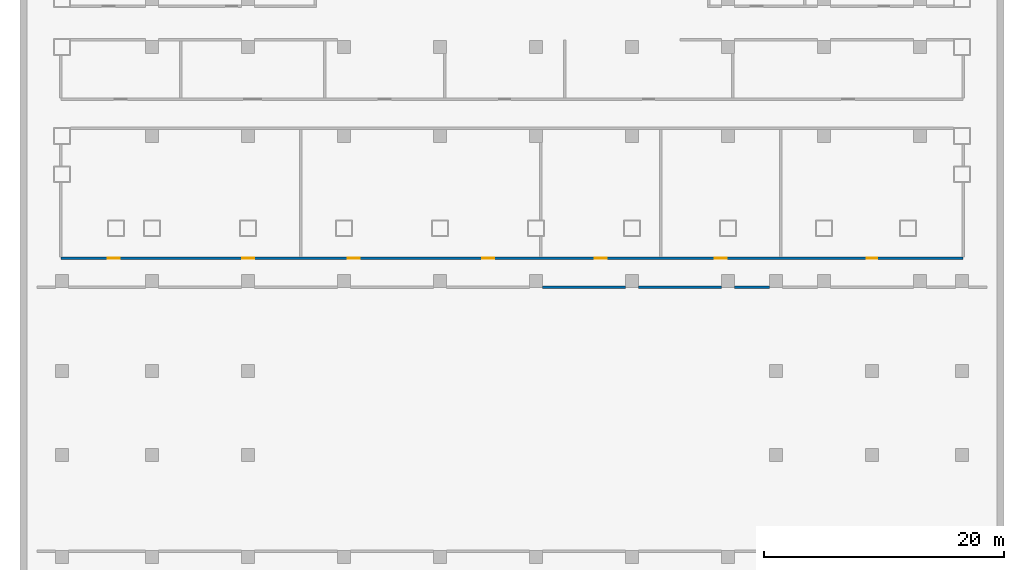
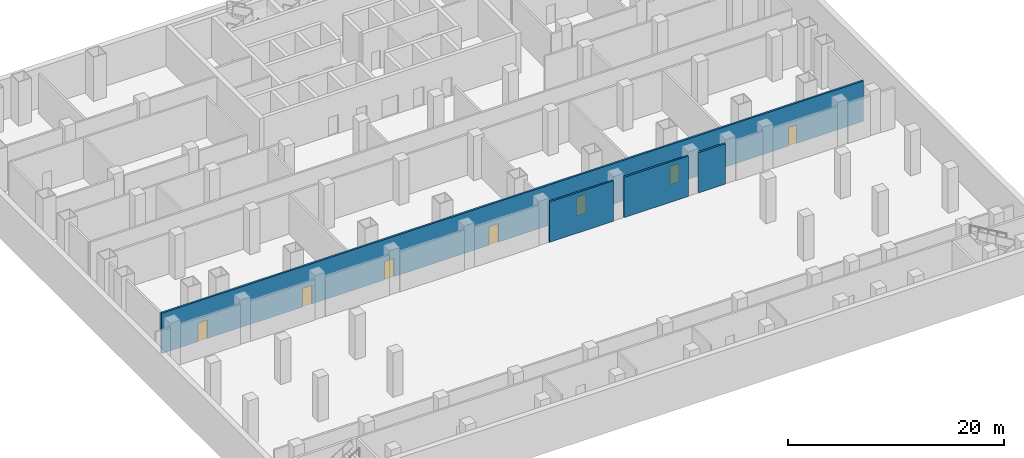
# One storey, part 3 of 12: 7 doors, 4 walls, 7 openings.
"""IFC4 building model written with IfcOpenShell, lengths in metres."""

from ifc_helpers import new_model, si_unit, direction, frame, frame_2d, origin, place, context, subcontext, project, spatial, rectangle, extrude, material, layer, layer_set, type_object, element, fill, save


model = new_model("IFC4")

# Units and contexts
model_context = context("Model", 3, precision=1e-05, world=origin(), true_north=direction((0.0, 1.0)))
body_context = subcontext(model_context, "Body", "Model", "MODEL_VIEW")
ifc_project = project(units=[si_unit("LENGTHUNIT", "METRE"), si_unit("AREAUNIT", "SQUARE_METRE"), si_unit("VOLUMEUNIT", "CUBIC_METRE"), si_unit("PLANEANGLEUNIT", "RADIAN"), si_unit("MASSUNIT", "GRAM", prefix="KILO")], contexts=[model_context])

# Site, building, storey
site_placement = place(None, origin())
site = spatial("IfcSite", under=ifc_project, at=site_placement, CompositionType="ELEMENT")
building_placement = place(site_placement, origin())
building = spatial("IfcBuilding", under=site, at=building_placement, Name="Vidyagriha Tower", CompositionType="ELEMENT")
storey_placement = place(building_placement, frame((0.0, 0.0, -5.0)))
storey = spatial("IfcBuildingStorey", under=building, at=storey_placement, Name="B1", CompositionType="ELEMENT", Elevation=-5.0)

# Walls
ifc_material_1 = material(Name="Fire rated gypsum board on light gauge framing")
ifc_layer = layer(ifc_material_1, 0.199951171875)
ifc_layer_set = layer_set([ifc_layer], Name="Fire rated gypsum board on light gauge framing")
wall_type = type_object("IfcWallType", Name="Fire Rated Corridor Wall 200", PredefinedType="PARTITIONING", material=ifc_layer_set)
for number, where, name in (
    (1, (2.550048828125, -22.0, 0.0), "B1 Fire Rated Corridor Wall 200 022"),
    (2, (10.550048828125, -22.0, 0.0), "B1 Fire Rated Corridor Wall 200 023"),
):
    element("IfcWall", number, at=place(storey_placement, frame(where)), inside=storey, type_object=wall_type, Name=name, PredefinedType="PARTITIONING", context=body_context, shape_type="SweptSolid", body=[
        extrude(rectangle(XDim=6.89990234375, YDim=0.199951171875, at=frame_2d((3.449951171875, 0.0))), origin(), (0.0, 0.0, 1.0), 4.580078125),
    ])
wall_1_placement = place(storey_placement, frame((18.550048828125, -22.0, 0.0)))
element("IfcWall", 3, at=wall_1_placement, inside=storey, type_object=wall_type, Name="B1 Fire Rated Corridor Wall 200 024", PredefinedType="PARTITIONING", context=body_context, shape_type="SweptSolid", body=[
    extrude(rectangle(XDim=2.89990234375, YDim=0.199951171875, at=frame_2d((1.449951171875, 0.0))), origin(), (0.0, 0.0, 1.0), 4.580078125),
])

# Wall, openings, doors
wall_2_placement = place(storey_placement, frame((-37.599853515625, -19.60009765625, 0.0)))
wall_2 = element("IfcWall", 4, at=wall_2_placement, inside=storey, type_object=wall_type, Name="B1 Fire Rated Corridor Wall 200 029", PredefinedType="PARTITIONING", context=body_context, shape_type="SweptSolid", body=[
    extrude(rectangle(XDim=75.19970703125, YDim=0.199951171875, at=frame_2d((37.599853515625, 0.0))), origin(), (0.0, 0.0, 1.0), 4.580078125),
])
opening_1_placement = place(wall_2_placement, frame((3.89990234375, 0.0, 0.0)))
opening_1 = element("IfcOpeningElement", 5, at=opening_1_placement, cuts=wall_2, Name="Opening DB1-19", PredefinedType="OPENING", context=body_context, shape_type="SweptSolid", body=[
    extrude(rectangle(XDim=1.0, YDim=2.10009765625, at=frame_2d((0.5, 1.050048828125))), frame((0.0, 0.10986328125, 0.0), z_axis=(0.0, -1.0, 0.0), x_axis=(1.0, 0.0, 0.0)), (0.0, 0.0, 1.0), 0.219970703125),
])
opening_2_placement = place(wall_2_placement, frame((15.099853515625, 0.0, 0.0)))
opening_2 = element("IfcOpeningElement", 6, at=opening_2_placement, cuts=wall_2, Name="Opening DB1-20", PredefinedType="OPENING", context=body_context, shape_type="SweptSolid", body=[
    extrude(rectangle(XDim=1.0, YDim=2.10009765625, at=frame_2d((0.5, 1.050048828125))), frame((0.0, 0.10986328125, 0.0), z_axis=(0.0, -1.0, 0.0), x_axis=(1.0, 0.0, 0.0)), (0.0, 0.0, 1.0), 0.219970703125),
])
opening_3_placement = place(wall_2_placement, frame((23.89990234375, 0.0, 0.0)))
opening_3 = element("IfcOpeningElement", 7, at=opening_3_placement, cuts=wall_2, Name="Opening DB1-21", PredefinedType="OPENING", context=body_context, shape_type="SweptSolid", body=[
    extrude(rectangle(XDim=1.0, YDim=2.10009765625, at=frame_2d((0.5, 1.050048828125))), frame((0.0, 0.10986328125, 0.0), z_axis=(0.0, -1.0, 0.0), x_axis=(1.0, 0.0, 0.0)), (0.0, 0.0, 1.0), 0.219970703125),
])
opening_4_placement = place(wall_2_placement, frame((35.099853515625, 0.0, 0.0)))
opening_4 = element("IfcOpeningElement", 8, at=opening_4_placement, cuts=wall_2, Name="Opening DB1-22", PredefinedType="OPENING", context=body_context, shape_type="SweptSolid", body=[
    extrude(rectangle(XDim=1.0, YDim=2.10009765625, at=frame_2d((0.5, 1.050048828125))), frame((0.0, 0.10986328125, 0.0), z_axis=(0.0, -1.0, 0.0), x_axis=(1.0, 0.0, 0.0)), (0.0, 0.0, 1.0), 0.219970703125),
])
opening_5_placement = place(wall_2_placement, frame((44.5, 0.0, 0.0)))
opening_5 = element("IfcOpeningElement", 9, at=opening_5_placement, cuts=wall_2, Name="Opening DB1-23", PredefinedType="OPENING", context=body_context, shape_type="SweptSolid", body=[
    extrude(rectangle(XDim=1.0, YDim=2.10009765625, at=frame_2d((0.5, 1.050048828125))), frame((0.0, 0.10986328125, 0.0), z_axis=(0.0, -1.0, 0.0), x_axis=(1.0, 0.0, 0.0)), (0.0, 0.0, 1.0), 0.219970703125),
])
opening_6_placement = place(wall_2_placement, frame((54.5, 0.0, 0.0)))
opening_6 = element("IfcOpeningElement", 10, at=opening_6_placement, cuts=wall_2, Name="Opening DB1-24", PredefinedType="OPENING", context=body_context, shape_type="SweptSolid", body=[
    extrude(rectangle(XDim=1.0, YDim=2.10009765625, at=frame_2d((0.5, 1.050048828125))), frame((0.0, 0.10986328125, 0.0), z_axis=(0.0, -1.0, 0.0), x_axis=(1.0, 0.0, 0.0)), (0.0, 0.0, 1.0), 0.219970703125),
])
opening_7_placement = place(wall_2_placement, frame((67.14990234375, 0.0, 0.0)))
opening_7 = element("IfcOpeningElement", 11, at=opening_7_placement, cuts=wall_2, Name="Opening DB1-25", PredefinedType="OPENING", context=body_context, shape_type="SweptSolid", body=[
    extrude(rectangle(XDim=0.89990234375, YDim=2.10009765625, at=frame_2d((0.449951171875, 1.050048828125))), frame((0.0, 0.10986328125, 0.0), z_axis=(0.0, -1.0, 0.0), x_axis=(1.0, 0.0, 0.0)), (0.0, 0.0, 1.0), 0.219970703125),
])
ifc_material_2 = material(Name="Steel fire door set", Category="steel")
door_type_1 = type_object("IfcDoorType", Name="Podium Door 1000x2100 EI 60", OperationType="NOTDEFINED", PredefinedType="DOOR", material=ifc_material_2)
door_1_placement = place(opening_1_placement, origin())
door_1 = element("IfcDoor", 12, at=door_1_placement, inside=storey, type_object=door_type_1, Name="B1 door DB1-19", OperationType="SINGLE_SWING_LEFT", OverallHeight=2.10009765625, OverallWidth=1.0, PredefinedType="DOOR", context=body_context, shape_type="SweptSolid", body=[
    extrude(rectangle(XDim=1.0, YDim=2.10009765625, at=frame_2d((0.5, 1.050048828125))), frame((0.0, 0.02490234375, 0.0), z_axis=(0.0, -1.0, 0.0), x_axis=(1.0, 0.0, 0.0)), (0.0, 0.0, 1.0), 0.050048828125),
])
fill(opening_1, door_1)
door_2_placement = place(opening_2_placement, origin())
door_2 = element("IfcDoor", 13, at=door_2_placement, inside=storey, type_object=door_type_1, Name="B1 door DB1-20", OperationType="SINGLE_SWING_LEFT", OverallHeight=2.10009765625, OverallWidth=1.0, PredefinedType="DOOR", context=body_context, shape_type="SweptSolid", body=[
    extrude(rectangle(XDim=1.0, YDim=2.10009765625, at=frame_2d((0.5, 1.050048828125))), frame((0.0, 0.02490234375, 0.0), z_axis=(0.0, -1.0, 0.0), x_axis=(1.0, 0.0, 0.0)), (0.0, 0.0, 1.0), 0.050048828125),
])
fill(opening_2, door_2)
door_3_placement = place(opening_3_placement, origin())
door_3 = element("IfcDoor", 14, at=door_3_placement, inside=storey, type_object=door_type_1, Name="B1 door DB1-21", OperationType="SINGLE_SWING_LEFT", OverallHeight=2.10009765625, OverallWidth=1.0, PredefinedType="DOOR", context=body_context, shape_type="SweptSolid", body=[
    extrude(rectangle(XDim=1.0, YDim=2.10009765625, at=frame_2d((0.5, 1.050048828125))), frame((0.0, 0.02490234375, 0.0), z_axis=(0.0, -1.0, 0.0), x_axis=(1.0, 0.0, 0.0)), (0.0, 0.0, 1.0), 0.050048828125),
])
fill(opening_3, door_3)
door_4_placement = place(opening_4_placement, origin())
door_4 = element("IfcDoor", 15, at=door_4_placement, inside=storey, type_object=door_type_1, Name="B1 door DB1-22", OperationType="SINGLE_SWING_LEFT", OverallHeight=2.10009765625, OverallWidth=1.0, PredefinedType="DOOR", context=body_context, shape_type="SweptSolid", body=[
    extrude(rectangle(XDim=1.0, YDim=2.10009765625, at=frame_2d((0.5, 1.050048828125))), frame((0.0, 0.02490234375, 0.0), z_axis=(0.0, -1.0, 0.0), x_axis=(1.0, 0.0, 0.0)), (0.0, 0.0, 1.0), 0.050048828125),
])
fill(opening_4, door_4)
door_5_placement = place(opening_5_placement, origin())
door_5 = element("IfcDoor", 16, at=door_5_placement, inside=storey, type_object=door_type_1, Name="B1 door DB1-23", OperationType="SINGLE_SWING_RIGHT", OverallHeight=2.10009765625, OverallWidth=1.0, PredefinedType="DOOR", context=body_context, shape_type="SweptSolid", body=[
    extrude(rectangle(XDim=1.0, YDim=2.10009765625, at=frame_2d((0.5, 1.050048828125))), frame((0.0, 0.02490234375, 0.0), z_axis=(0.0, -1.0, 0.0), x_axis=(1.0, 0.0, 0.0)), (0.0, 0.0, 1.0), 0.050048828125),
])
fill(opening_5, door_5)
door_6_placement = place(opening_6_placement, origin())
door_6 = element("IfcDoor", 17, at=door_6_placement, inside=storey, type_object=door_type_1, Name="B1 door DB1-24", OperationType="SINGLE_SWING_RIGHT", OverallHeight=2.10009765625, OverallWidth=1.0, PredefinedType="DOOR", context=body_context, shape_type="SweptSolid", body=[
    extrude(rectangle(XDim=1.0, YDim=2.10009765625, at=frame_2d((0.5, 1.050048828125))), frame((0.0, 0.02490234375, 0.0), z_axis=(0.0, -1.0, 0.0), x_axis=(1.0, 0.0, 0.0)), (0.0, 0.0, 1.0), 0.050048828125),
])
fill(opening_6, door_6)
ifc_material_3 = material(Name="Steel fire door set", Category="steel")
door_type_2 = type_object("IfcDoorType", Name="Podium Door 900x2100 EI 30", OperationType="NOTDEFINED", PredefinedType="DOOR", material=ifc_material_3)
door_7_placement = place(opening_7_placement, origin())
door_7 = element("IfcDoor", 18, at=door_7_placement, inside=storey, type_object=door_type_2, Name="B1 door DB1-25", OperationType="SINGLE_SWING_RIGHT", OverallHeight=2.10009765625, OverallWidth=0.89990234375, PredefinedType="DOOR", context=body_context, shape_type="SweptSolid", body=[
    extrude(rectangle(XDim=0.89990234375, YDim=2.10009765625, at=frame_2d((0.449951171875, 1.050048828125))), frame((0.0, 0.02490234375, 0.0), z_axis=(0.0, -1.0, 0.0), x_axis=(1.0, 0.0, 0.0)), (0.0, 0.0, 1.0), 0.050048828125),
])
fill(opening_7, door_7)

save(model, "model.ifc")
